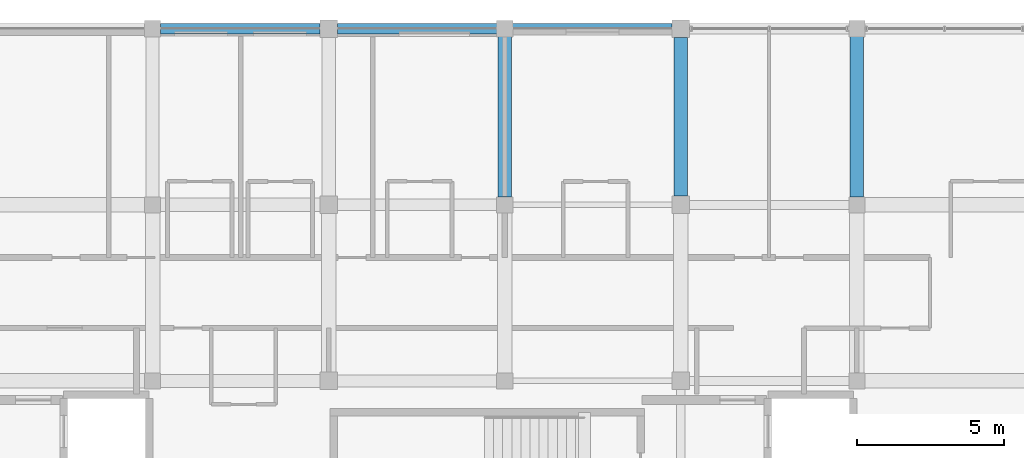
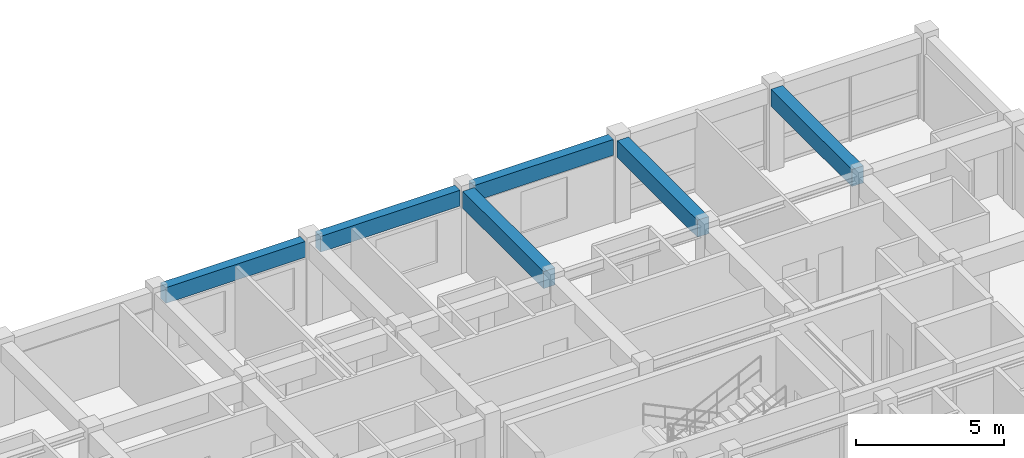
# One storey, part 3 of 25: 6 beams.
"""IFC4 building model written with IfcOpenShell, lengths in metres."""

from ifc_helpers import new_model, si_unit, direction, frame, origin, origin_2d, place, context, subcontext, project, spatial, rectangle, extrude, material, material_profile, profile_set, type_object, element, save


model = new_model("IFC4")

# Units and contexts
model_context = context("Model", 3, precision=1e-05, world=origin(), true_north=direction((0.0, 1.0)))
body_context = subcontext(model_context, "Body", "Model", "MODEL_VIEW")
ifc_project = project(units=[si_unit("LENGTHUNIT", "METRE"), si_unit("AREAUNIT", "SQUARE_METRE"), si_unit("VOLUMEUNIT", "CUBIC_METRE"), si_unit("PLANEANGLEUNIT", "RADIAN"), si_unit("MASSUNIT", "GRAM", prefix="KILO"), si_unit("THERMODYNAMICTEMPERATUREUNIT", "KELVIN"), si_unit("POWERUNIT", "WATT")], contexts=[model_context])

# Site, building, storey
site_placement = place(None, origin())
site = spatial("IfcSite", under=ifc_project, at=site_placement, CompositionType="ELEMENT")
building_placement = place(site_placement, origin())
building = spatial("IfcBuilding", under=site, at=building_placement, Name="Phaisarnlok Congress Hotel", CompositionType="ELEMENT")
storey_placement = place(building_placement, frame((0.0, 0.0, 24.60009765625)))
storey = spatial("IfcBuildingStorey", under=building, at=storey_placement, Name="L05", CompositionType="ELEMENT", Elevation=24.60009765625)

# Beams
ifc_material = material(Name="Concrete C40/50", Category="concrete")
ifc_material_profile_1 = material_profile(ifc_material, rectangle(XDim=0.449951171875, YDim=0.699951171875, at=origin_2d()), Name="RC 450x700")
ifc_profile_set_1 = profile_set([ifc_material_profile_1], Name="Concrete C40/50")
beam_type_1 = type_object("IfcBeamType", Name="BM-RC-450x700", PredefinedType="BEAM", material=ifc_profile_set_1)
beam_1_placement = place(storey_placement, frame((162.0, 120.27001953125, 3.02978515625), z_axis=(0.0, 1.0, 0.0), x_axis=(-1.0, 0.0, 0.0)))
element("IfcBeam", 1, at=beam_1_placement, inside=storey, type_object=beam_type_1, Name="Beam B-03", PredefinedType="BEAM", context=body_context, shape_type="SweptSolid", body=[
    extrude(rectangle(XDim=0.449951171875, YDim=0.699951171875, at=origin_2d()), origin(), (0.0, 0.0, 1.0), 5.4599609375),
])
beam_2_placement = place(storey_placement, frame((168.0, 120.294921875, 3.02978515625), z_axis=(0.0, 1.0, 0.0), x_axis=(-1.0, 0.0, 0.0)))
element("IfcBeam", 2, at=beam_2_placement, inside=storey, type_object=beam_type_1, Name="Beam B-03", PredefinedType="BEAM", context=body_context, shape_type="SweptSolid", body=[
    extrude(rectangle(XDim=0.449951171875, YDim=0.699951171875, at=origin_2d()), origin(), (0.0, 0.0, 1.0), 5.41015625),
])
beam_3_placement = place(storey_placement, frame((174.0, 120.27001953125, 3.02978515625), z_axis=(0.0, 1.0, 0.0), x_axis=(-1.0, 0.0, 0.0)))
element("IfcBeam", 3, at=beam_3_placement, inside=storey, type_object=beam_type_1, Name="Beam B-03", PredefinedType="BEAM", context=body_context, shape_type="SweptSolid", body=[
    extrude(rectangle(XDim=0.449951171875, YDim=0.699951171875, at=origin_2d()), origin(), (0.0, 0.0, 1.0), 5.4599609375),
])
ifc_material_profile_2 = material_profile(ifc_material, rectangle(XDim=0.35009765625, YDim=0.64990234375, at=origin_2d()), Name="RC 350x650")
ifc_profile_set_2 = profile_set([ifc_material_profile_2], Name="Concrete C40/50")
beam_type_2 = type_object("IfcBeamType", Name="SP-RC-350x650", PredefinedType="SPANDREL", material=ifc_profile_set_2)
for number, where, z_axis, x_axis, name in (
    (4, (150.27001953125, 126.0, 3.054931640625), (1.0, 0.0, 0.0), (0.0, 1.0, 0.0), "Beam SP-01"),
    (5, (156.294921875, 126.0, 3.054931640625), (1.0, 0.0, 0.0), (0.0, 1.0, 0.0), "Beam SP-01"),
    (6, (162.27001953125, 126.0, 3.054931640625), (1.0, 0.0, 0.0), (0.0, 1.0, 0.0), "Beam SP-01"),
):
    element("IfcBeam", number, at=place(storey_placement, frame(where, z_axis=z_axis, x_axis=x_axis)), inside=storey, type_object=beam_type_2, Name=name, PredefinedType="SPANDREL", context=body_context, shape_type="SweptSolid", body=[
        extrude(rectangle(XDim=0.35009765625, YDim=0.64990234375, at=origin_2d()), origin(), (0.0, 0.0, 1.0), 5.43505859375),
    ])

save(model, "model.ifc")
